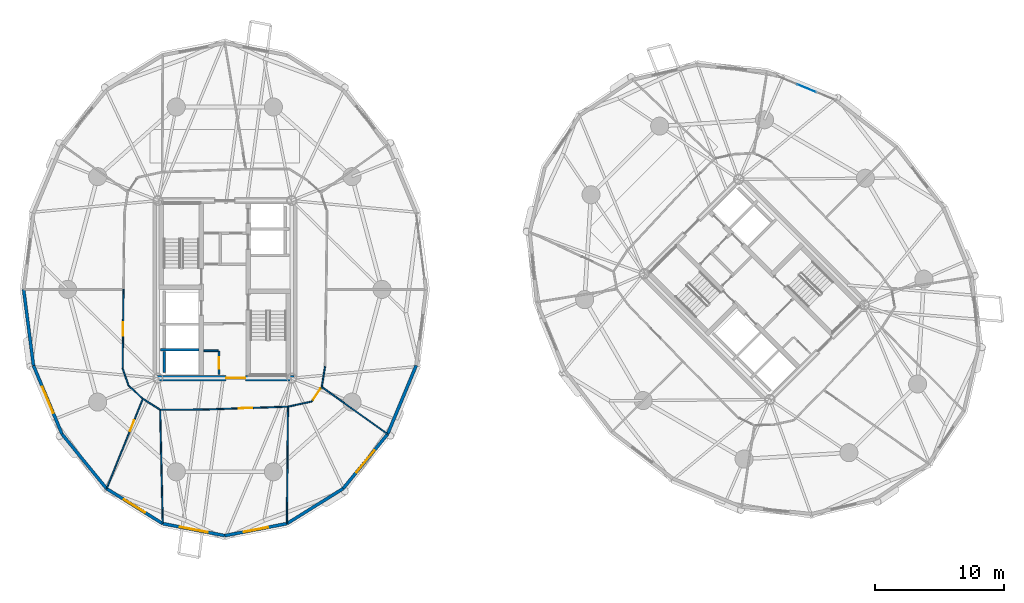
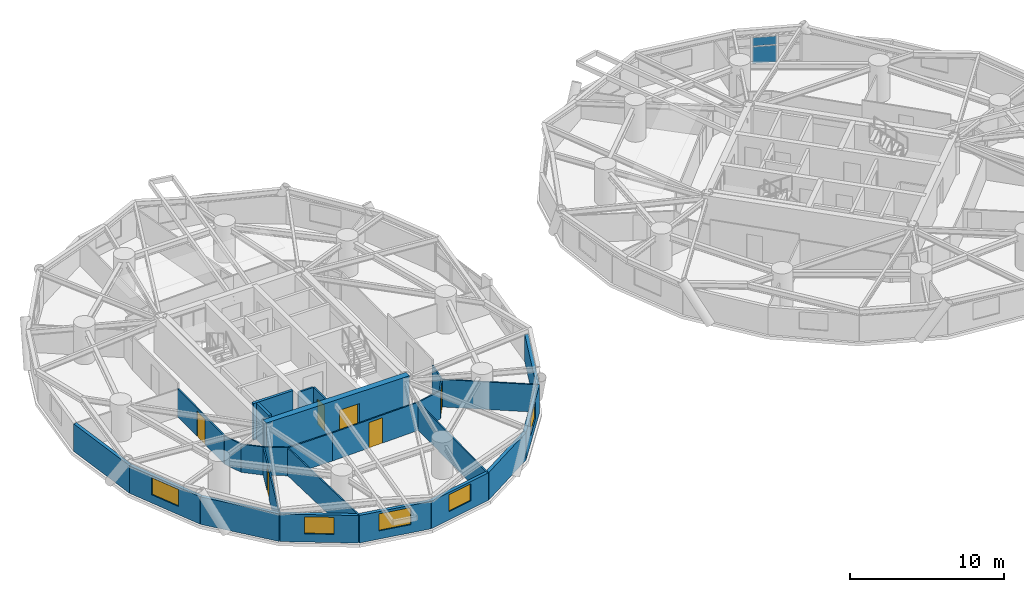
# One storey, part 9 of 16: 27 walls, 6 doors, 5 windows, 2 plates, 11 openings, 1 element without a shape of its own.
"""IFC4 building model written with IfcOpenShell, lengths in metres."""

from ifc_helpers import new_model, si_unit, direction, frame, frame_2d, origin, origin_2d, place, context, subcontext, project, spatial, rectangle, extrude, source, transform, mapped, material, layer, layer_set, type_object, element, fill, aggregate, save


model = new_model("IFC4")

# Units and contexts
model_context = context("Model", 3, precision=1e-05, world=origin(), true_north=direction((0.0, 1.0)))
body_context = subcontext(model_context, "Body", "Model", "MODEL_VIEW")
ifc_project = project(units=[si_unit("LENGTHUNIT", "METRE"), si_unit("AREAUNIT", "SQUARE_METRE"), si_unit("VOLUMEUNIT", "CUBIC_METRE"), si_unit("PLANEANGLEUNIT", "RADIAN"), si_unit("MASSUNIT", "GRAM", prefix="KILO")], contexts=[model_context])

# Site, building, storey
site_placement = place(None, origin())
site = spatial("IfcSite", under=ifc_project, at=site_placement, CompositionType="ELEMENT")
building_placement = place(site_placement, origin())
building = spatial("IfcBuilding", under=site, at=building_placement, Name="Cununo Teusaquillo Station Towers", CompositionType="ELEMENT")
storey_placement = place(building_placement, frame((0.0, 0.0, 99.25)))
storey = spatial("IfcBuildingStorey", under=building, at=storey_placement, Name="L31", CompositionType="ELEMENT", Elevation=99.25)

# Curtain wall, plates
ifc_material_1 = material(Name="Ceramic-fritted dark low-E double glazing", Category="glass")
ifc_layer_1 = layer(ifc_material_1, 0.179931640625)
ifc_layer_set_1 = layer_set([ifc_layer_1], Name="Ceramic-fritted dark low-E double glazing")
curtain_wall_type = type_object("IfcCurtainWallType", Name="CW-SYS-04", PredefinedType="USERDEFINED", material=ifc_layer_set_1)
curtain_wall_placement = place(storey_placement, origin())
curtain_wall = element("IfcCurtainWall", 1, at=curtain_wall_placement, inside=storey, type_object=curtain_wall_type, Name="L31 Tower B Facade Curtain Wall C01", ObjectType="FRITTED GLAZING", PredefinedType="USERDEFINED")
ifc_material_2 = material(Name="Ceramic-fritted dark low-E double glazing", Category="glass")
ifc_layer_2 = layer(ifc_material_2, 0.028076171875)
ifc_layer_set_2 = layer_set([ifc_layer_2], Name="Ceramic-fritted dark low-E double glazing")
plate_type = type_object("IfcPlateType", Name="CWP-FRIT-28", PredefinedType="CURTAIN_PANEL", material=ifc_layer_set_2)
shared_shape_1 = source(origin(), body_context, "Body", "SweptSolid", [
    extrude(rectangle(XDim=1.566162109375, YDim=0.028076171875, at=origin_2d()), origin(), (0.0, 0.0, 1.0), 1.31103515625),
])
plate_1_placement = place(storey_placement, frame((61.542236328125, 40.080322265625, 0.070068359375), z_axis=(0.0, 0.0, 1.0), x_axis=(0.924562443652, -0.381030560176, 0.0)))
plate_1 = element("IfcPlate", 2, at=plate_1_placement, type_object=plate_type, Name="CW-04 panel 2.1", PredefinedType="CURTAIN_PANEL", context=body_context, shape_type="MappedRepresentation", body=[
    mapped(shared_shape_1, transform((0.0, 0.0, 0.0), x_axis=(1.0, 0.0, 0.0), y_axis=(0.0, 1.0, 0.0), z_axis=(0.0, 0.0, 1.0), scale=1.0)),
])
shared_shape_2 = source(origin(), body_context, "Body", "SweptSolid", [
    extrude(rectangle(XDim=1.566162109375, YDim=0.028076171875, at=origin_2d()), origin(), (0.0, 0.0, 1.0), 0.657958984375),
])
plate_2_placement = place(storey_placement, frame((61.542236328125, 40.080322265625, 1.451171875), z_axis=(0.0, 0.0, 1.0), x_axis=(0.924562443652, -0.381030560176, 0.0)))
plate_2 = element("IfcPlate", 3, at=plate_2_placement, type_object=plate_type, Name="CW-04 panel 2.2", PredefinedType="CURTAIN_PANEL", context=body_context, shape_type="MappedRepresentation", body=[
    mapped(shared_shape_2, transform((0.0, 0.0, 0.0), x_axis=(1.0, 0.0, 0.0), y_axis=(0.0, 1.0, 0.0), z_axis=(0.0, 0.0, 1.0), scale=1.0)),
])
aggregate(curtain_wall, [plate_1, plate_2])

# Walls
ifc_material_3 = material(Name="Concrete C50/60", Category="concrete")
ifc_layer_3 = layer(ifc_material_3, 0.199951171875)
ifc_layer_set_3 = layer_set([ifc_layer_3], Name="Concrete C50/60")
wall_type_1 = type_object("IfcWallType", Name="WL-CORE-200", PredefinedType="SHEAR", material=ifc_layer_set_3)
wall_1_placement = place(storey_placement, frame((11.52001953125, 19.824951171875, 0.0), z_axis=(0.0, 0.0, 1.0), x_axis=(1.0, 0.0, 0.0)))
element("IfcWall", 4, at=wall_1_placement, inside=storey, type_object=wall_type_1, Name="L31 Tower A High-Rise Lift Hoistway Divider Shear Wall", PredefinedType="SHEAR", context=body_context, shape_type="SweptSolid", body=[
    extrude(rectangle(XDim=2.969970703125, YDim=0.199951171875, at=frame_2d((1.48486328125, 0.0))), origin(), (0.0, 0.0, 1.0), 2.909912109375),
])
wall_2_placement = place(storey_placement, frame((11.820068359375, 18.070068359375, 0.0), z_axis=(0.0, 0.0, 1.0), x_axis=(0.0, 1.0, 0.0)))
element("IfcWall", 5, at=wall_2_placement, inside=storey, type_object=wall_type_1, Name="L31 Tower A High-Rise Lift 1 Shaft Rear Shear Wall", PredefinedType="SHEAR", context=body_context, shape_type="SweptSolid", body=[
    extrude(rectangle(XDim=1.635009765625, YDim=0.199951171875, at=frame_2d((0.8173828125, 0.0))), origin(), (0.0, 0.0, 1.0), 2.909912109375),
])

# Wall, opening, door
ifc_material_4 = material(Name="Concrete C60/75", Category="concrete")
ifc_layer_4 = layer(ifc_material_4, 0.449951171875)
ifc_layer_set_4 = layer_set([ifc_layer_4], Name="Concrete C60/75")
wall_type_2 = type_object("IfcWallType", Name="WL-CORE-450", PredefinedType="SHEAR", material=ifc_layer_set_4)
wall_3_placement = place(storey_placement, frame((11.14990234375, 17.625, 0.0), z_axis=(0.0, 0.0, 1.0), x_axis=(1.0, 0.0, 0.0)))
wall_3 = element("IfcWall", 6, at=wall_3_placement, inside=storey, type_object=wall_type_2, Name="L31 Tower A Core Shear Wall S", PredefinedType="SHEAR", context=body_context, shape_type="SweptSolid", body=[
    extrude(rectangle(XDim=10.7001953125, YDim=0.449951171875, at=frame_2d((5.35009765625, 0.0))), origin(), (0.0, 0.0, 1.0), 2.909912109375),
])
shared_shape_3 = source(origin(), body_context, "Body", "SweptSolid", [
    extrude(rectangle(XDim=1.5, YDim=2.02001953125, at=frame_2d((0.75, 1.010009765625))), frame((0.0, 0.23486328125, 0.0), z_axis=(0.0, -1.0, 0.0), x_axis=(1.0, 0.0, 0.0)), (0.0, 0.0, 1.0), 0.469970703125),
])
opening_1_placement = place(wall_3_placement, frame((5.449951171875, 0.0, 0.0)))
opening_1 = element("IfcOpeningElement", 7, at=opening_1_placement, cuts=wall_3, Name="Opening D-LB1", PredefinedType="OPENING", context=body_context, shape_type="MappedRepresentation", body=[
    mapped(shared_shape_3, transform((0.0, 0.0, 0.0), x_axis=(1.0, 0.0, 0.0), y_axis=(0.0, 1.0, 0.0), z_axis=(0.0, 0.0, 1.0), scale=1.0)),
])
ifc_material_5 = material(Name="Galvanised fire-rated hollow steel door assembly", Category="steel")
door_type_1 = type_object("IfcDoorType", Name="DR-LOBBY-1500", OperationType="DOUBLE_DOOR_SINGLE_SWING", PredefinedType="DOOR", material=ifc_material_5)
shared_shape_4 = source(origin(), body_context, "Body", "SweptSolid", [
    extrude(rectangle(XDim=1.5, YDim=2.02001953125, at=frame_2d((0.75, 1.010009765625))), frame((0.0, 0.02490234375, 0.0), z_axis=(0.0, -1.0, 0.0), x_axis=(1.0, 0.0, 0.0)), (0.0, 0.0, 1.0), 0.050048828125),
])
door_1_placement = place(opening_1_placement, origin())
door_1 = element("IfcDoor", 8, at=door_1_placement, inside=storey, type_object=door_type_1, Name="L31 Tower A South Core Lift Lobby Door", OperationType="DOUBLE_DOOR_SINGLE_SWING", OverallHeight=2.02001953125, OverallWidth=1.5, PredefinedType="DOOR", context=body_context, shape_type="MappedRepresentation", body=[
    mapped(shared_shape_4, transform((0.0, 0.0, 0.0), x_axis=(1.0, 0.0, 0.0), y_axis=(0.0, 1.0, 0.0), z_axis=(0.0, 0.0, 1.0), scale=1.0)),
])
fill(opening_1, door_1)

# Wall
ifc_material_6 = material(Name="Precast concrete C40/50", Category="concrete")
ifc_layer_5 = layer(ifc_material_6, 0.239990234375)
ifc_layer_set_5 = layer_set([ifc_layer_5], Name="Precast concrete C40/50")
wall_type_3 = type_object("IfcWallType", Name="WL-EXT-240", PredefinedType="SOLIDWALL", material=ifc_layer_set_5)
wall_4_placement = place(storey_placement, frame((1.681640625, 18.60693359375, 0.0), z_axis=(0.0, 0.0, 1.0), x_axis=(-0.128351991996, 0.991728675672, 0.0)))
element("IfcWall", 9, at=wall_4_placement, inside=storey, type_object=wall_type_3, Name="L31 Tower A Exterior Facade Wall C10", PredefinedType="SOLIDWALL", context=body_context, shape_type="SweptSolid", body=[
    extrude(rectangle(XDim=5.942138671875, YDim=0.239990234375, at=frame_2d((2.97119140625, 0.0))), origin(), (0.0, 0.0, 1.0), 2.178955078125),
])

# Wall, opening, window
wall_5_placement = place(storey_placement, frame((3.894775390625, 13.291015625, 0.0), z_axis=(0.0, 0.0, 1.0), x_axis=(-0.384344417632, 0.923189779317, 0.0)))
wall_5 = element("IfcWall", 10, at=wall_5_placement, inside=storey, type_object=wall_type_3, Name="L31 Tower A Exterior Facade Wall C11", PredefinedType="SOLIDWALL", context=body_context, shape_type="SweptSolid", body=[
    extrude(rectangle(XDim=5.75830078125, YDim=0.239990234375, at=frame_2d((2.879150390625, 0.0))), origin(), (0.0, 0.0, 1.0), 2.178955078125),
])
shared_shape_5 = source(origin(), body_context, "Body", "SweptSolid", [
    extrude(rectangle(XDim=2.199951171875, YDim=1.35009765625, at=frame_2d((1.10009765625, 0.675048828125))), frame((0.0, 0.1298828125, 0.0), z_axis=(0.0, -1.0, 0.0), x_axis=(1.0, 0.0, 0.0)), (0.0, 0.0, 1.0), 0.260009765625),
])
opening_2_placement = place(wall_5_placement, frame((1.779052734375, 0.0, 0.64990234375)))
opening_2 = element("IfcOpeningElement", 11, at=opening_2_placement, cuts=wall_5, Name="Opening WN-01", PredefinedType="OPENING", context=body_context, shape_type="MappedRepresentation", body=[
    mapped(shared_shape_5, transform((0.0, 0.0, 0.0), x_axis=(1.0, 0.0, 0.0), y_axis=(0.0, 1.0, 0.0), z_axis=(0.0, 0.0, 1.0), scale=1.0)),
])
ifc_material_7 = material(Name="Ceramic-fritted dark low-E double glazing", Category="glass")
window_type_1 = type_object("IfcWindowType", Name="WIN-FRIT-2200", PartitioningType="DOUBLE_PANEL_VERTICAL", PredefinedType="WINDOW", material=ifc_material_7)
shared_shape_6 = source(origin(), body_context, "Body", "SweptSolid", [
    extrude(rectangle(XDim=2.199951171875, YDim=1.35009765625, at=frame_2d((1.10009765625, 0.675048828125))), frame((0.0, 0.030029296875, 0.0), z_axis=(0.0, -1.0, 0.0), x_axis=(1.0, 0.0, 0.0)), (0.0, 0.0, 1.0), 0.06005859375),
])
window_1_placement = place(opening_2_placement, origin())
window_1 = element("IfcWindow", 12, at=window_1_placement, inside=storey, type_object=window_type_1, Name="L31 Tower A Facade Window C11", OverallHeight=1.35009765625, OverallWidth=2.199951171875, PartitioningType="DOUBLE_PANEL_VERTICAL", PredefinedType="WINDOW", context=body_context, shape_type="MappedRepresentation", body=[
    mapped(shared_shape_6, transform((0.0, 0.0, 0.0), x_axis=(1.0, 0.0, 0.0), y_axis=(0.0, 1.0, 0.0), z_axis=(0.0, 0.0, 1.0), scale=1.0)),
])
fill(opening_2, window_1)

# Wall
wall_6_placement = place(storey_placement, frame((7.341796875, 9.072021484375, 0.0), z_axis=(0.0, 0.0, 1.0), x_axis=(-0.632700781152, 0.77439635945, 0.0)))
element("IfcWall", 13, at=wall_6_placement, inside=storey, type_object=wall_type_3, Name="L31 Tower A Exterior Facade Wall C12", PredefinedType="SOLIDWALL", context=body_context, shape_type="SweptSolid", body=[
    extrude(rectangle(XDim=5.447998046875, YDim=0.239990234375, at=frame_2d((2.72412109375, 0.0))), origin(), (0.0, 0.0, 1.0), 2.178955078125),
])

# Wall, opening, window
wall_7_placement = place(storey_placement, frame((11.685302734375, 6.36328125, 0.0), z_axis=(0.0, 0.0, 1.0), x_axis=(-0.848520380187, 0.529162701263, 0.0)))
wall_7 = element("IfcWall", 14, at=wall_7_placement, inside=storey, type_object=wall_type_3, Name="L31 Tower A Exterior Facade Wall C13", PredefinedType="SOLIDWALL", context=body_context, shape_type="SweptSolid", body=[
    extrude(rectangle(XDim=5.118896484375, YDim=0.239990234375, at=frame_2d((2.5595703125, 0.0))), origin(), (0.0, 0.0, 1.0), 2.178955078125),
])
shared_shape_7 = source(origin(), body_context, "Body", "SweptSolid", [
    extrude(rectangle(XDim=1.89990234375, YDim=1.35009765625, at=frame_2d((0.949951171875, 0.675048828125))), frame((0.0, 0.1298828125, 0.0), z_axis=(0.0, -1.0, 0.0), x_axis=(1.0, 0.0, 0.0)), (0.0, 0.0, 1.0), 0.260009765625),
])
opening_3_placement = place(wall_7_placement, frame((1.60888671875, 0.0, 0.64990234375)))
opening_3 = element("IfcOpeningElement", 15, at=opening_3_placement, cuts=wall_7, Name="Opening WN-02", PredefinedType="OPENING", context=body_context, shape_type="MappedRepresentation", body=[
    mapped(shared_shape_7, transform((0.0, 0.0, 0.0), x_axis=(1.0, 0.0, 0.0), y_axis=(0.0, 1.0, 0.0), z_axis=(0.0, 0.0, 1.0), scale=1.0)),
])
ifc_material_8 = material(Name="Operable acoustic tinted low-E double glazing", Category="glass")
window_type_2 = type_object("IfcWindowType", Name="WIN-OPER-1900", PartitioningType="DOUBLE_PANEL_VERTICAL", PredefinedType="WINDOW", material=ifc_material_8)
shared_shape_8 = source(origin(), body_context, "Body", "SweptSolid", [
    extrude(rectangle(XDim=1.89990234375, YDim=1.35009765625, at=frame_2d((0.949951171875, 0.675048828125))), frame((0.0, 0.030029296875, 0.0), z_axis=(0.0, -1.0, 0.0), x_axis=(1.0, 0.0, 0.0)), (0.0, 0.0, 1.0), 0.06005859375),
])
window_2_placement = place(opening_3_placement, origin())
window_2 = element("IfcWindow", 16, at=window_2_placement, inside=storey, type_object=window_type_2, Name="L31 Tower A Facade Window C13", OverallHeight=1.35009765625, OverallWidth=1.89990234375, PartitioningType="DOUBLE_PANEL_VERTICAL", PredefinedType="WINDOW", context=body_context, shape_type="MappedRepresentation", body=[
    mapped(shared_shape_8, transform((0.0, 0.0, 0.0), x_axis=(1.0, 0.0, 0.0), y_axis=(0.0, 1.0, 0.0), z_axis=(0.0, 0.0, 1.0), scale=1.0)),
])
fill(opening_3, window_2)

wall_8_placement = place(storey_placement, frame((16.5, 5.429931640625, 0.0), z_axis=(0.0, 0.0, 1.0), x_axis=(-0.981723785992, 0.190311344954, 0.0)))
wall_8 = element("IfcWall", 17, at=wall_8_placement, inside=storey, type_object=wall_type_3, Name="L31 Tower A Exterior Facade Wall C14", PredefinedType="SOLIDWALL", context=body_context, shape_type="SweptSolid", body=[
    extrude(rectangle(XDim=4.904296875, YDim=0.239990234375, at=frame_2d((2.4521484375, 0.0))), origin(), (0.0, 0.0, 1.0), 2.178955078125),
])
opening_4_placement = place(wall_8_placement, frame((1.35205078125, 0.0, 0.64990234375)))
opening_4 = element("IfcOpeningElement", 18, at=opening_4_placement, cuts=wall_8, Name="Opening WN-01", PredefinedType="OPENING", context=body_context, shape_type="MappedRepresentation", body=[
    mapped(shared_shape_5, transform((0.0, 0.0, 0.0), x_axis=(1.0, 0.0, 0.0), y_axis=(0.0, 1.0, 0.0), z_axis=(0.0, 0.0, 1.0), scale=1.0)),
])
window_3_placement = place(opening_4_placement, origin())
window_3 = element("IfcWindow", 19, at=window_3_placement, inside=storey, type_object=window_type_1, Name="L31 Tower A Facade Window C14", OverallHeight=1.35009765625, OverallWidth=2.199951171875, PartitioningType="DOUBLE_PANEL_VERTICAL", PredefinedType="WINDOW", context=body_context, shape_type="MappedRepresentation", body=[
    mapped(shared_shape_6, transform((0.0, 0.0, 0.0), x_axis=(1.0, 0.0, 0.0), y_axis=(0.0, 1.0, 0.0), z_axis=(0.0, 0.0, 1.0), scale=1.0)),
])
fill(opening_4, window_3)

wall_9_placement = place(storey_placement, frame((21.314697265625, 6.36328125, 0.0), z_axis=(0.0, 0.0, 1.0), x_axis=(-0.981723785992, -0.190311344954, 0.0)))
wall_9 = element("IfcWall", 20, at=wall_9_placement, inside=storey, type_object=wall_type_3, Name="L31 Tower A Exterior Facade Wall C15", PredefinedType="SOLIDWALL", context=body_context, shape_type="SweptSolid", body=[
    extrude(rectangle(XDim=4.904296875, YDim=0.239990234375, at=frame_2d((2.4521484375, 0.0))), origin(), (0.0, 0.0, 1.0), 2.178955078125),
])
opening_5_placement = place(wall_9_placement, frame((1.501953125, 0.0, 0.64990234375)))
opening_5 = element("IfcOpeningElement", 21, at=opening_5_placement, cuts=wall_9, Name="Opening WN-02", PredefinedType="OPENING", context=body_context, shape_type="MappedRepresentation", body=[
    mapped(shared_shape_7, transform((0.0, 0.0, 0.0), x_axis=(1.0, 0.0, 0.0), y_axis=(0.0, 1.0, 0.0), z_axis=(0.0, 0.0, 1.0), scale=1.0)),
])
window_4_placement = place(opening_5_placement, origin())
window_4 = element("IfcWindow", 22, at=window_4_placement, inside=storey, type_object=window_type_2, Name="L31 Tower A Facade Window C15", OverallHeight=1.35009765625, OverallWidth=1.89990234375, PartitioningType="DOUBLE_PANEL_VERTICAL", PredefinedType="WINDOW", context=body_context, shape_type="MappedRepresentation", body=[
    mapped(shared_shape_8, transform((0.0, 0.0, 0.0), x_axis=(1.0, 0.0, 0.0), y_axis=(0.0, 1.0, 0.0), z_axis=(0.0, 0.0, 1.0), scale=1.0)),
])
fill(opening_5, window_4)

# Wall
wall_10_placement = place(storey_placement, frame((25.658203125, 9.072021484375, 0.0), z_axis=(0.0, 0.0, 1.0), x_axis=(-0.848520380187, -0.529162701263, 0.0)))
element("IfcWall", 23, at=wall_10_placement, inside=storey, type_object=wall_type_3, Name="L31 Tower A Exterior Facade Wall C16", PredefinedType="SOLIDWALL", context=body_context, shape_type="SweptSolid", body=[
    extrude(rectangle(XDim=5.118896484375, YDim=0.239990234375, at=frame_2d((2.5595703125, 0.0))), origin(), (0.0, 0.0, 1.0), 2.178955078125),
])

# Wall, opening, window
wall_11_placement = place(storey_placement, frame((29.105224609375, 13.291015625, 0.0), z_axis=(0.0, 0.0, 1.0), x_axis=(-0.632700781152, -0.77439635945, 0.0)))
wall_11 = element("IfcWall", 24, at=wall_11_placement, inside=storey, type_object=wall_type_3, Name="L31 Tower A Exterior Facade Wall C17", PredefinedType="SOLIDWALL", context=body_context, shape_type="SweptSolid", body=[
    extrude(rectangle(XDim=5.447998046875, YDim=0.239990234375, at=frame_2d((2.72412109375, 0.0))), origin(), (0.0, 0.0, 1.0), 2.178955078125),
])
opening_6_placement = place(wall_11_placement, frame((1.6240234375, 0.0, 0.64990234375)))
opening_6 = element("IfcOpeningElement", 25, at=opening_6_placement, cuts=wall_11, Name="Opening WN-01", PredefinedType="OPENING", context=body_context, shape_type="MappedRepresentation", body=[
    mapped(shared_shape_5, transform((0.0, 0.0, 0.0), x_axis=(1.0, 0.0, 0.0), y_axis=(0.0, 1.0, 0.0), z_axis=(0.0, 0.0, 1.0), scale=1.0)),
])
window_5_placement = place(opening_6_placement, origin())
window_5 = element("IfcWindow", 26, at=window_5_placement, inside=storey, type_object=window_type_1, Name="L31 Tower A Facade Window C17", OverallHeight=1.35009765625, OverallWidth=2.199951171875, PartitioningType="DOUBLE_PANEL_VERTICAL", PredefinedType="WINDOW", context=body_context, shape_type="MappedRepresentation", body=[
    mapped(shared_shape_6, transform((0.0, 0.0, 0.0), x_axis=(1.0, 0.0, 0.0), y_axis=(0.0, 1.0, 0.0), z_axis=(0.0, 0.0, 1.0), scale=1.0)),
])
fill(opening_6, window_5)

# Wall
wall_12_placement = place(storey_placement, frame((31.318359375, 18.60693359375, 0.0), z_axis=(0.0, 0.0, 1.0), x_axis=(-0.384344417632, -0.923189779317, 0.0)))
element("IfcWall", 27, at=wall_12_placement, inside=storey, type_object=wall_type_3, Name="L31 Tower A Exterior Facade Wall C18", PredefinedType="SOLIDWALL", context=body_context, shape_type="SweptSolid", body=[
    extrude(rectangle(XDim=5.75830078125, YDim=0.239990234375, at=frame_2d((2.879150390625, 0.0))), origin(), (0.0, 0.0, 1.0), 2.178955078125),
])

# Wall, opening, door
ifc_material_9 = material(Name="Fire-rated gypsum plasterboard partition assembly", Category="gypsum")
ifc_layer_6 = layer(ifc_material_9, 0.10009765625)
ifc_layer_set_6 = layer_set([ifc_layer_6], Name="Fire-rated gypsum plasterboard partition assembly")
wall_type_4 = type_object("IfcWallType", Name="WL-PART-100", PredefinedType="MOVABLE", material=ifc_layer_set_6)
wall_13_placement = place(storey_placement, frame((8.64990234375, 24.5, 0.0), z_axis=(0.0, 0.0, 1.0), x_axis=(-0.010196235655, -0.999948017038, 0.0)))
wall_13 = element("IfcWall", 28, at=wall_13_placement, inside=storey, type_object=wall_type_4, Name="L31 Tower A Corridor Ring Wall C10", PredefinedType="MOVABLE", context=body_context, shape_type="SweptSolid", body=[
    extrude(rectangle(XDim=6.129638671875, YDim=0.10009765625, at=frame_2d((3.06494140625, 0.0))), origin(), (0.0, 0.0, 1.0), 2.22509765625),
])
shared_shape_9 = source(origin(), body_context, "Body", "SweptSolid", [
    extrude(rectangle(XDim=1.050048828125, YDim=2.014892578125, at=frame_2d((0.52490234375, 1.00732421875))), frame((0.0, 0.06005859375, 0.0), z_axis=(0.0, -1.0, 0.0), x_axis=(1.0, 0.0, 0.0)), (0.0, 0.0, 1.0), 0.1201171875),
])
opening_7_placement = place(wall_13_placement, frame((2.539794921875, 0.0, 0.0)))
opening_7 = element("IfcOpeningElement", 29, at=opening_7_placement, cuts=wall_13, Name="Opening D-SU1", PredefinedType="OPENING", context=body_context, shape_type="MappedRepresentation", body=[
    mapped(shared_shape_9, transform((0.0, 0.0, 0.0), x_axis=(1.0, 0.0, 0.0), y_axis=(0.0, 1.0, 0.0), z_axis=(0.0, 0.0, 1.0), scale=1.0)),
])
ifc_material_10 = material(Name="Acoustic solid-core hardwood leaf assembly", Category="wood")
door_type_2 = type_object("IfcDoorType", Name="DR-SUITE-1050", OperationType="NOTDEFINED", PredefinedType="DOOR", material=ifc_material_10)
shared_shape_10 = source(origin(), body_context, "Body", "SweptSolid", [
    extrude(rectangle(XDim=1.050048828125, YDim=2.014892578125, at=frame_2d((0.52490234375, 1.00732421875))), frame((0.0, 0.02490234375, 0.0), z_axis=(0.0, -1.0, 0.0), x_axis=(1.0, 0.0, 0.0)), (0.0, 0.0, 1.0), 0.050048828125),
])
door_2_placement = place(opening_7_placement, origin())
door_2 = element("IfcDoor", 30, at=door_2_placement, inside=storey, type_object=door_type_2, Name="L31 Tower A Derivatives Structuring Office Entrance Door", OperationType="SINGLE_SWING_LEFT", OverallHeight=2.014892578125, OverallWidth=1.050048828125, PredefinedType="DOOR", context=body_context, shape_type="MappedRepresentation", body=[
    mapped(shared_shape_10, transform((0.0, 0.0, 0.0), x_axis=(1.0, 0.0, 0.0), y_axis=(0.0, 1.0, 0.0), z_axis=(0.0, 0.0, 1.0), scale=1.0)),
])
fill(opening_7, door_2)

# Walls
wall_14_placement = place(storey_placement, frame((8.58740234375, 18.37060546875, 0.0), z_axis=(0.0, 0.0, 1.0), x_axis=(0.331494289155, -0.943457225452, 0.0)))
element("IfcWall", 31, at=wall_14_placement, inside=storey, type_object=wall_type_4, Name="L31 Tower A Corridor Ring Wall C11", PredefinedType="MOVABLE", context=body_context, shape_type="SweptSolid", body=[
    extrude(rectangle(XDim=1.416259765625, YDim=0.10009765625, at=frame_2d((0.7080078125, 0.0))), origin(), (0.0, 0.0, 1.0), 2.22509765625),
])
wall_15_placement = place(storey_placement, frame((9.056884765625, 17.034423828125, 0.0), z_axis=(0.0, 0.0, 1.0), x_axis=(0.737874877538, -0.674937526811, 0.0)))
element("IfcWall", 32, at=wall_15_placement, inside=storey, type_object=wall_type_4, Name="L31 Tower A Corridor Ring Wall C12", PredefinedType="MOVABLE", context=body_context, shape_type="SweptSolid", body=[
    extrude(rectangle(XDim=1.489501953125, YDim=0.10009765625, at=frame_2d((0.74462890625, 0.0))), origin(), (0.0, 0.0, 1.0), 2.22509765625),
])
wall_16_placement = place(storey_placement, frame((10.156005859375, 16.029052734375, 0.0), z_axis=(0.0, 0.0, 1.0), x_axis=(0.843127549493, -0.537713618282, 0.0)))
element("IfcWall", 33, at=wall_16_placement, inside=storey, type_object=wall_type_4, Name="L31 Tower A Corridor Ring Wall C13", PredefinedType="MOVABLE", context=body_context, shape_type="SweptSolid", body=[
    extrude(rectangle(XDim=1.582763671875, YDim=0.10009765625, at=frame_2d((0.79150390625, 0.0))), origin(), (0.0, 0.0, 1.0), 2.22509765625),
])
wall_17_placement = place(storey_placement, frame((11.490478515625, 15.177978515625, 0.0), z_axis=(0.0, 0.0, 1.0), x_axis=(0.99999260582, 0.003845556538, 0.0)))
element("IfcWall", 34, at=wall_17_placement, inside=storey, type_object=wall_type_4, Name="L31 Tower A Corridor Ring Wall C14", PredefinedType="MOVABLE", context=body_context, shape_type="SweptSolid", body=[
    extrude(rectangle(XDim=3.30126953125, YDim=0.10009765625, at=frame_2d((1.650634765625, 0.0))), origin(), (0.0, 0.0, 1.0), 2.22509765625),
])

# Wall, opening, door
wall_18_placement = place(storey_placement, frame((14.791748046875, 15.190673828125, 0.0), z_axis=(0.0, 0.0, 1.0), x_axis=(0.999405559957, 0.034475015985, 0.0)))
wall_18 = element("IfcWall", 35, at=wall_18_placement, inside=storey, type_object=wall_type_4, Name="L31 Tower A Corridor Ring Wall C15", PredefinedType="MOVABLE", context=body_context, shape_type="SweptSolid", body=[
    extrude(rectangle(XDim=6.60009765625, YDim=0.10009765625, at=frame_2d((3.300048828125, 0.0))), origin(), (0.0, 0.0, 1.0), 2.22509765625),
])
opening_8_placement = place(wall_18_placement, frame((2.775146484375, 0.0, 0.0)))
opening_8 = element("IfcOpeningElement", 36, at=opening_8_placement, cuts=wall_18, Name="Opening D-SU1", PredefinedType="OPENING", context=body_context, shape_type="MappedRepresentation", body=[
    mapped(shared_shape_9, transform((0.0, 0.0, 0.0), x_axis=(1.0, 0.0, 0.0), y_axis=(0.0, 1.0, 0.0), z_axis=(0.0, 0.0, 1.0), scale=1.0)),
])
door_3_placement = place(opening_8_placement, origin())
door_3 = element("IfcDoor", 37, at=door_3_placement, inside=storey, type_object=door_type_2, Name="L31 Tower A Algorithmic Backtesting Lab Entrance Door", OperationType="SINGLE_SWING_LEFT", OverallHeight=2.014892578125, OverallWidth=1.050048828125, PredefinedType="DOOR", context=body_context, shape_type="MappedRepresentation", body=[
    mapped(shared_shape_10, transform((0.0, 0.0, 0.0), x_axis=(1.0, 0.0, 0.0), y_axis=(0.0, 1.0, 0.0), z_axis=(0.0, 0.0, 1.0), scale=1.0)),
])
fill(opening_8, door_3)

# Wall
wall_19_placement = place(storey_placement, frame((21.387939453125, 15.418212890625, 0.0), z_axis=(0.0, 0.0, 1.0), x_axis=(0.977297113048, 0.211873435874, 0.0)))
element("IfcWall", 38, at=wall_19_placement, inside=storey, type_object=wall_type_4, Name="L31 Tower A Corridor Ring Wall C16", PredefinedType="MOVABLE", context=body_context, shape_type="SweptSolid", body=[
    extrude(rectangle(XDim=1.877197265625, YDim=0.10009765625, at=frame_2d((0.9384765625, 0.0))), origin(), (0.0, 0.0, 1.0), 2.22509765625),
])

# Wall, opening, door
wall_20_placement = place(storey_placement, frame((23.222412109375, 15.81591796875, 0.0), z_axis=(0.0, 0.0, 1.0), x_axis=(0.57002280034, 0.821628874306, 0.0)))
wall_20 = element("IfcWall", 39, at=wall_20_placement, inside=storey, type_object=wall_type_4, Name="L31 Tower A Corridor Ring Wall C17", PredefinedType="MOVABLE", context=body_context, shape_type="SweptSolid", body=[
    extrude(rectangle(XDim=1.3740234375, YDim=0.10009765625, at=frame_2d((0.68701171875, 0.0))), origin(), (0.0, 0.0, 1.0), 2.22509765625),
])
opening_9_placement = place(wall_20_placement, frame((0.162109375, 0.0, 0.0)))
opening_9 = element("IfcOpeningElement", 40, at=opening_9_placement, cuts=wall_20, Name="Opening D-SU1", PredefinedType="OPENING", context=body_context, shape_type="MappedRepresentation", body=[
    mapped(shared_shape_9, transform((0.0, 0.0, 0.0), x_axis=(1.0, 0.0, 0.0), y_axis=(0.0, 1.0, 0.0), z_axis=(0.0, 0.0, 1.0), scale=1.0)),
])
door_4_placement = place(opening_9_placement, origin())
door_4 = element("IfcDoor", 41, at=door_4_placement, inside=storey, type_object=door_type_2, Name="L31 Tower A Traders Quiet Recovery Pantry Entrance Door", OperationType="SINGLE_SWING_RIGHT", OverallHeight=2.014892578125, OverallWidth=1.050048828125, PredefinedType="DOOR", context=body_context, shape_type="MappedRepresentation", body=[
    mapped(shared_shape_10, transform((0.0, 0.0, 0.0), x_axis=(1.0, 0.0, 0.0), y_axis=(0.0, 1.0, 0.0), z_axis=(0.0, 0.0, 1.0), scale=1.0)),
])
fill(opening_9, door_4)

# Walls
wall_21_placement = place(storey_placement, frame((24.005615234375, 16.94482421875, 0.0), z_axis=(0.0, 0.0, 1.0), x_axis=(0.161240753481, 0.986915102436, 0.0)))
element("IfcWall", 42, at=wall_21_placement, inside=storey, type_object=wall_type_4, Name="L31 Tower A Corridor Ring Wall C18", PredefinedType="MOVABLE", context=body_context, shape_type="SweptSolid", body=[
    extrude(rectangle(XDim=1.60498046875, YDim=0.10009765625, at=frame_2d((0.802490234375, 0.0))), origin(), (0.0, 0.0, 1.0), 2.22509765625),
])
wall_22_placement = place(storey_placement, frame((11.490478515625, 15.177978515625, 0.0), z_axis=(0.0, 0.0, 1.0), x_axis=(0.022838019925, -0.999739178409, 0.0)))
element("IfcWall", 43, at=wall_22_placement, inside=storey, type_object=wall_type_4, Name="L31 Tower A Radial Suite Partition R06", PredefinedType="MOVABLE", context=body_context, shape_type="SweptSolid", body=[
    extrude(rectangle(XDim=8.7978515625, YDim=0.10009765625, at=frame_2d((4.39892578125, 0.0))), origin(), (0.0, 0.0, 1.0), 2.178955078125),
])
wall_23_placement = place(storey_placement, frame((21.387939453125, 15.418212890625, 0.0), z_axis=(0.0, 0.0, 1.0), x_axis=(-0.008780834631, -0.999961447728, 0.0)))
element("IfcWall", 44, at=wall_23_placement, inside=storey, type_object=wall_type_4, Name="L31 Tower A Radial Suite Partition R07", PredefinedType="MOVABLE", context=body_context, shape_type="SweptSolid", body=[
    extrude(rectangle(XDim=9.0361328125, YDim=0.10009765625, at=frame_2d((4.51806640625, 0.0))), origin(), (0.0, 0.0, 1.0), 2.178955078125),
])
wall_24_placement = place(storey_placement, frame((24.005615234375, 16.94482421875, 0.0), z_axis=(0.0, 0.0, 1.0), x_axis=(0.81289906925, -0.582404587219, 0.0)))
element("IfcWall", 45, at=wall_24_placement, inside=storey, type_object=wall_type_4, Name="L31 Tower A Radial Suite Partition R08", PredefinedType="MOVABLE", context=body_context, shape_type="SweptSolid", body=[
    extrude(rectangle(XDim=6.25341796875, YDim=0.10009765625, at=frame_2d((3.126708984375, 0.0))), origin(), (0.0, 0.0, 1.0), 2.178955078125),
])

# Wall, opening, door
wall_25_placement = place(storey_placement, frame((10.156005859375, 16.029052734375, 0.0), z_axis=(0.0, 0.0, 1.0), x_axis=(-0.374397256956, -0.9272684045, 0.0)))
wall_25 = element("IfcWall", 46, at=wall_25_placement, inside=storey, type_object=wall_type_4, Name="L31 Tower A Derivatives Structuring Office Suite Subdividing Wall", PredefinedType="MOVABLE", context=body_context, shape_type="SweptSolid", body=[
    extrude(rectangle(XDim=7.4853515625, YDim=0.10009765625, at=frame_2d((3.74267578125, 0.0))), origin(), (0.0, 0.0, 1.0), 2.178955078125),
])
shared_shape_11 = source(origin(), body_context, "Body", "SweptSolid", [
    extrude(rectangle(XDim=0.89990234375, YDim=2.0048828125, at=frame_2d((0.449951171875, 1.00244140625))), frame((0.0, 0.06005859375, 0.0), z_axis=(0.0, -1.0, 0.0), x_axis=(1.0, 0.0, 0.0)), (0.0, 0.0, 1.0), 0.1201171875),
])
opening_10_placement = place(wall_25_placement, frame((1.800048828125, 0.0, 0.0)))
opening_10 = element("IfcOpeningElement", 47, at=opening_10_placement, cuts=wall_25, Name="Opening D-IN1", PredefinedType="OPENING", context=body_context, shape_type="MappedRepresentation", body=[
    mapped(shared_shape_11, transform((0.0, 0.0, 0.0), x_axis=(1.0, 0.0, 0.0), y_axis=(0.0, 1.0, 0.0), z_axis=(0.0, 0.0, 1.0), scale=1.0)),
])
ifc_material_11 = material(Name="Acoustic solid-core hardwood leaf assembly", Category="wood")
door_type_3 = type_object("IfcDoorType", Name="DR-INT-900", OperationType="NOTDEFINED", PredefinedType="DOOR", material=ifc_material_11)
shared_shape_12 = source(origin(), body_context, "Body", "SweptSolid", [
    extrude(rectangle(XDim=0.89990234375, YDim=2.0048828125, at=frame_2d((0.449951171875, 1.00244140625))), frame((0.0, 0.02490234375, 0.0), z_axis=(0.0, -1.0, 0.0), x_axis=(1.0, 0.0, 0.0)), (0.0, 0.0, 1.0), 0.050048828125),
])
door_5_placement = place(opening_10_placement, origin())
door_5 = element("IfcDoor", 48, at=door_5_placement, inside=storey, type_object=door_type_3, Name="L31 Tower A Derivatives Structuring Office Suite Connecting Door", OperationType="SINGLE_SWING_RIGHT", OverallHeight=2.0048828125, OverallWidth=0.89990234375, PredefinedType="DOOR", context=body_context, shape_type="MappedRepresentation", body=[
    mapped(shared_shape_12, transform((0.0, 0.0, 0.0), x_axis=(1.0, 0.0, 0.0), y_axis=(0.0, 1.0, 0.0), z_axis=(0.0, 0.0, 1.0), scale=1.0)),
])
fill(opening_10, door_5)

ifc_material_12 = material(Name="Fire-rated gypsum plasterboard partition assembly", Category="gypsum")
ifc_layer_7 = layer(ifc_material_12, 0.125)
ifc_layer_set_7 = layer_set([ifc_layer_7], Name="Fire-rated gypsum plasterboard partition assembly")
wall_type_5 = type_object("IfcWallType", Name="WL-PART-125", PredefinedType="PARTITIONING", material=ifc_layer_set_7)
wall_26_placement = place(storey_placement, frame((16.050048828125, 17.919921875, 0.0), z_axis=(0.0, 0.0, 1.0), x_axis=(0.0, 1.0, 0.0)))
wall_26 = element("IfcWall", 49, at=wall_26_placement, inside=storey, type_object=wall_type_5, Name="L31 Tower A South-West Compact Store East Wall", PredefinedType="PARTITIONING", context=body_context, shape_type="SweptSolid", body=[
    extrude(rectangle(XDim=1.800048828125, YDim=0.125, at=frame_2d((0.89990234375, 0.0))), origin(), (0.0, 0.0, 1.0), 2.655029296875),
])
shared_shape_13 = source(origin(), body_context, "Body", "SweptSolid", [
    extrude(rectangle(XDim=0.89990234375, YDim=2.0048828125, at=frame_2d((0.449951171875, 1.00244140625))), frame((0.0, 0.072509765625, 0.0), z_axis=(0.0, -1.0, 0.0), x_axis=(1.0, 0.0, 0.0)), (0.0, 0.0, 1.0), 0.14501953125),
])
opening_11_placement = place(wall_26_placement, frame((0.419921875, 0.0, 0.0)))
opening_11 = element("IfcOpeningElement", 50, at=opening_11_placement, cuts=wall_26, Name="Opening D-SR1", PredefinedType="OPENING", context=body_context, shape_type="MappedRepresentation", body=[
    mapped(shared_shape_13, transform((0.0, 0.0, 0.0), x_axis=(1.0, 0.0, 0.0), y_axis=(0.0, 1.0, 0.0), z_axis=(0.0, 0.0, 1.0), scale=1.0)),
])
ifc_material_13 = material(Name="Galvanised fire-rated hollow steel door assembly", Category="steel")
door_type_4 = type_object("IfcDoorType", Name="DR-STORE-900", OperationType="NOTDEFINED", PredefinedType="DOOR", material=ifc_material_13)
door_6_placement = place(opening_11_placement, origin())
door_6 = element("IfcDoor", 51, at=door_6_placement, inside=storey, type_object=door_type_4, Name="L31 Tower A Core Electrical & Comms Store Door", OperationType="SINGLE_SWING_RIGHT", OverallHeight=2.0048828125, OverallWidth=0.89990234375, PredefinedType="DOOR", context=body_context, shape_type="MappedRepresentation", body=[
    mapped(shared_shape_12, transform((0.0, 0.0, 0.0), x_axis=(1.0, 0.0, 0.0), y_axis=(0.0, 1.0, 0.0), z_axis=(0.0, 0.0, 1.0), scale=1.0)),
])
fill(opening_11, door_6)

# Wall
wall_27_placement = place(storey_placement, frame((14.8798828125, 19.75, 0.0), z_axis=(0.0, 0.0, 1.0), x_axis=(1.0, 0.0, 0.0)))
element("IfcWall", 52, at=wall_27_placement, inside=storey, type_object=wall_type_5, Name="L31 Tower A South-West Compact Store North Wall", PredefinedType="PARTITIONING", context=body_context, shape_type="SweptSolid", body=[
    extrude(rectangle(XDim=1.10009765625, YDim=0.125, at=frame_2d((0.550048828125, 0.0))), origin(), (0.0, 0.0, 1.0), 2.655029296875),
])

save(model, "model.ifc")
